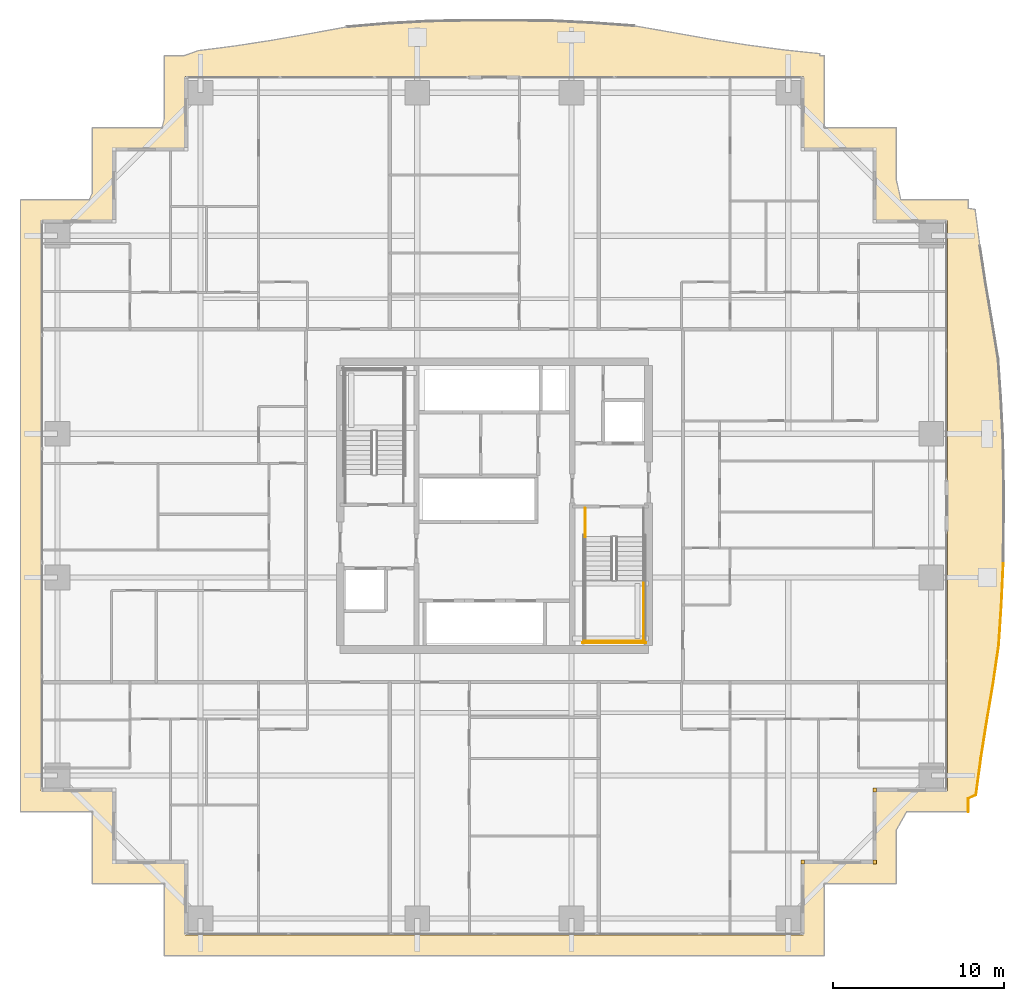
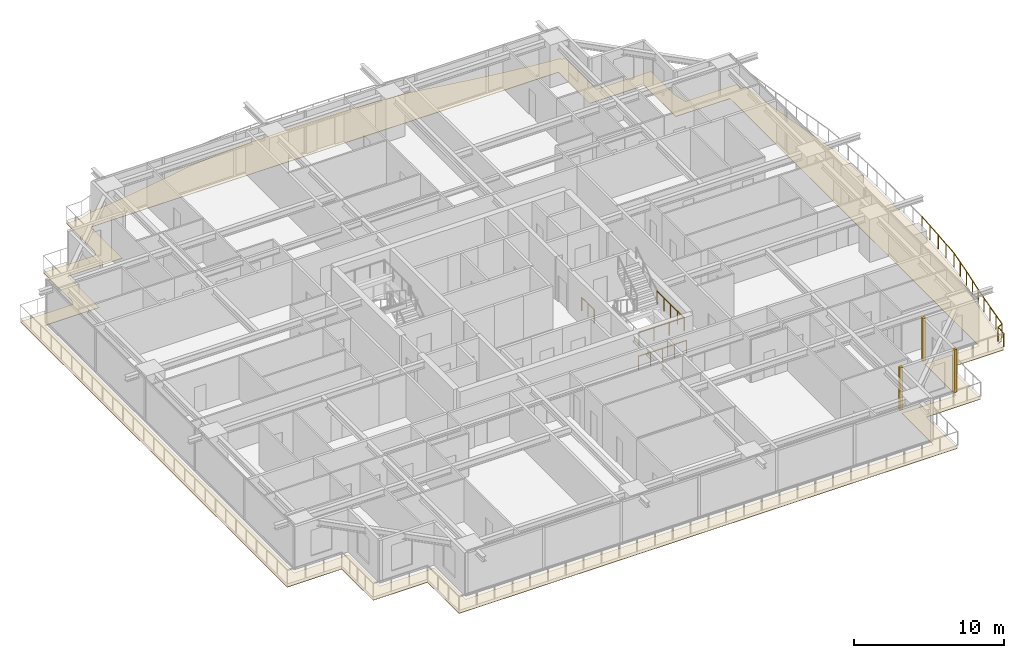
# One storey, part 35 of 37: 5 railings, 4 coverings.
"""IFC4 building model written with IfcOpenShell, lengths in metres."""

from ifc_helpers import new_model, si_unit, direction, frame, origin, origin_2d, place, context, subcontext, project, spatial, polyline, rectangle, circle, outline, extrude, source, transform, mapped, material, layer, layer_set, type_object, element, save


model = new_model("IFC4")

# Units and contexts
model_context = context("Model", 3, precision=1e-05, world=origin(), true_north=direction((0.0, 1.0)))
body_context = subcontext(model_context, "Body", "Model", "MODEL_VIEW")
ifc_project = project(units=[si_unit("LENGTHUNIT", "METRE"), si_unit("AREAUNIT", "SQUARE_METRE"), si_unit("VOLUMEUNIT", "CUBIC_METRE"), si_unit("PLANEANGLEUNIT", "RADIAN"), si_unit("MASSUNIT", "GRAM", prefix="KILO")], contexts=[model_context])

# Site, building, storey
site_placement = place(None, origin())
site = spatial("IfcSite", under=ifc_project, at=site_placement, CompositionType="ELEMENT")
building_placement = place(site_placement, origin())
building = spatial("IfcBuilding", under=site, at=building_placement, Name="Serunith Strait Residences", CompositionType="ELEMENT")
storey_placement = place(building_placement, frame((0.0, 0.0, 34.199951171875)))
storey = spatial("IfcBuildingStorey", under=building, at=storey_placement, Name="L07", CompositionType="ELEMENT", Elevation=34.199951171875)

# Covering
ifc_material_1 = material(Name="Golden Teak Exterior Timber Boarding", Category="wood")
ifc_layer_1 = layer(ifc_material_1, 0.034912109375, Name="Golden Teak Exterior Timber Boarding")
ifc_layer_set_1 = layer_set([ifc_layer_1], Name="Golden Teak Exterior Timber Boarding")
covering_type_1 = type_object("IfcCoveringType", Name="COV-TEAK-SOFFIT", PredefinedType="CEILING", material=ifc_layer_set_1)
covering_placement = place(storey_placement, frame((0.0, 0.0, -0.324951171875)))
element("IfcCovering", 1, at=covering_placement, inside=storey, type_object=covering_type_1, Name="L07 Golden-Teak Balcony Soffit Lining", PredefinedType="CEILING", context=body_context, shape_type="SweptSolid", body=[
    extrude(outline(polyline([(13.00341796875, 47.260009765625), (13.139892578125, 47.77490234375), (13.139892578125, 51.4599609375), (14.294921875, 51.4599609375), (15.12109375, 51.755859375), (17.243408203125, 52.02587890625), (19.3837890625, 52.35498046875), (21.560302734375, 52.73486328125), (23.7939453125, 53.141357421875), (26.14306640625, 53.342041015625), (28.535888671875, 53.47412109375), (30.954345703125, 53.52001953125), (33.383056640625, 53.52001953125), (35.8046875, 53.492919921875), (38.203125, 53.37109375), (40.5673828125, 53.2021484375), (42.818603515625, 52.8115234375), (45.004638671875, 52.424072265625), (47.150390625, 52.084228515625), (49.275146484375, 51.802734375), (51.392578125, 51.578857421875), (51.391845703125, 51.4599609375), (51.659912109375, 51.4599609375), (51.659912109375, 47.260009765625), (55.860107421875, 47.260009765625), (55.860107421875, 44.209716796875), (56.122802734375, 43.06005859375), (60.06005859375, 43.06005859375), (60.06005859375, 42.552001953125), (60.45751953125, 42.488037109375), (60.734375, 40.360107421875), (61.06298828125, 38.210693359375), (61.432861328125, 36.023193359375), (61.802001953125, 33.775634765625), (61.963134765625, 31.42431640625), (62.082763671875, 29.04150390625), (62.1201171875, 26.63671875), (62.1201171875, 24.22314453125), (62.099609375, 21.815673828125), (61.989501953125, 19.427734375), (61.83544921875, 17.070068359375), (61.506103515625, 14.7998046875), (61.131103515625, 12.60302734375), (60.793212890625, 10.44775390625), (60.506103515625, 8.31689453125), (60.06005859375, 8.11279296875), (60.06005859375, 7.340087890625), (56.46923828125, 7.340087890625), (55.860107421875, 6.272705078125), (55.860107421875, 3.139892578125), (51.659912109375, 3.139892578125), (51.659912109375, -1.06005859375), (13.139892578125, -1.06005859375), (13.139892578125, 3.139892578125), (8.93994140625, 3.139892578125), (8.93994140625, 7.340087890625), (4.739990234375, 7.340087890625), (4.739990234375, 43.06005859375), (8.7587890625, 43.06005859375), (8.93994140625, 43.457763671875), (8.93994140625, 47.260009765625), (13.00341796875, 47.260009765625)]), holes=[polyline([(50.455078125, 0.14501953125), (50.455078125, 4.344970703125), (54.655029296875, 4.344970703125), (54.655029296875, 8.544921875), (58.85498046875, 8.544921875), (58.85498046875, 41.85498046875), (54.655029296875, 41.85498046875), (54.655029296875, 46.054931640625), (50.455078125, 46.054931640625), (50.455078125, 50.2548828125), (14.344970703125, 50.2548828125), (14.344970703125, 46.054931640625), (10.14501953125, 46.054931640625), (10.14501953125, 41.85498046875), (5.945068359375, 41.85498046875), (5.945068359375, 8.544921875), (10.14501953125, 8.544921875), (10.14501953125, 4.344970703125), (14.344970703125, 4.344970703125), (14.344970703125, 0.14501953125), (50.455078125, 0.14501953125)])]), origin(), (0.0, 0.0, 1.0), 0.034912109375),
])

# Railings
ifc_material_2 = material(Name="Stainless Steel & Laminated Glass Balustrade", Category="steel")
railing_type_1 = type_object("IfcRailingType", Name="RLG-BALC-1150", PredefinedType="BALUSTRADE", material=ifc_material_2)
railing_1_placement = place(storey_placement, frame((62.099609375, 21.815673828125, -0.050048828125)))
element("IfcRailing", 2, at=railing_1_placement, inside=storey, type_object=railing_type_1, Name="L07 Swirling Balcony Perimeter Balustrade 6", PredefinedType="BALUSTRADE", context=body_context, shape_type="SweptSolid", body=[
    extrude(circle(Radius=0.02392578125, at=origin_2d()), frame((0.0, -0.001953125, 1.1259765625), z_axis=(-0.046060865395, -0.998938635092, 0.0), x_axis=(0.998938635092, -0.046060865395, 0.0)), (0.0, 0.0, 1.0), 2.386474609375),
    extrude(circle(Radius=0.02392578125, at=origin_2d()), frame((-0.1103515625, -2.389892578125, 1.1259765625), z_axis=(-0.065202162092, -0.997872074997, 0.0), x_axis=(0.997872074997, -0.065202162092, 0.0)), (0.0, 0.0, 1.0), 2.358642578125),
    extrude(circle(Radius=0.02392578125, at=origin_2d()), frame((-0.264404296875, -4.74755859375, 1.1259765625), z_axis=(-0.14356654037, -0.989640666346, 0.0), x_axis=(0.989640666346, -0.14356654037, 0.0)), (0.0, 0.0, 1.0), 2.2900390625),
    extrude(circle(Radius=0.02392578125, at=origin_2d()), frame((-0.59375, -7.017822265625, 1.1259765625), z_axis=(-0.168270499855, -0.985740857872, 0.0), x_axis=(0.985740857872, -0.168270499855, 0.0)), (0.0, 0.0, 1.0), 2.224609375),
    extrude(circle(Radius=0.02392578125, at=origin_2d()), frame((-0.96875, -9.214599609375, 1.1259765625), z_axis=(-0.154882104311, -0.987932960157, 0.0), x_axis=(0.987932960157, -0.154882104311, 0.0)), (0.0, 0.0, 1.0), 2.177490234375),
    extrude(circle(Radius=0.02392578125, at=origin_2d()), frame((-1.306640625, -11.369873046875, 1.1259765625), z_axis=(-0.133532116849, -0.991044486272, 0.0), x_axis=(0.991044486272, -0.133532116849, 0.0)), (0.0, 0.0, 1.0), 2.14599609375),
    extrude(circle(Radius=0.02392578125, at=origin_2d()), frame((-1.59521484375, -13.49951171875, 1.1259765625), z_axis=(-0.909323858246, -0.416089077993, 0.0), x_axis=(0.416089077993, -0.909323858246, 0.0)), (0.0, 0.0, 1.0), 0.486572265625),
    extrude(circle(Radius=0.02392578125, at=origin_2d()), frame((-2.03955078125, -13.704833984375, 1.1259765625), z_axis=(0.0, -1.0, 0.0), x_axis=(1.0, 0.0, 0.0)), (0.0, 0.0, 1.0), 0.768798828125),
    extrude(circle(Radius=0.02099609375, at=origin_2d()), origin(), (0.0, 0.0, 1.0), 1.099853515625),
    extrude(circle(Radius=0.02099609375, at=origin_2d()), frame((-0.05517578125, -1.19384765625, 0.0)), (0.0, 0.0, 1.0), 1.099853515625),
    extrude(circle(Radius=0.02099609375, at=origin_2d()), frame((-0.110107421875, -2.387939453125, 0.0)), (0.0, 0.0, 1.0), 1.099853515625),
    extrude(circle(Radius=0.02099609375, at=origin_2d()), frame((-0.18701171875, -3.56689453125, 0.0)), (0.0, 0.0, 1.0), 1.099853515625),
    extrude(circle(Radius=0.02099609375, at=origin_2d()), frame((-0.26416015625, -4.74560546875, 0.0)), (0.0, 0.0, 1.0), 1.099853515625),
    extrude(circle(Radius=0.02099609375, at=origin_2d()), frame((-0.4287109375, -5.880859375, 0.0)), (0.0, 0.0, 1.0), 1.099853515625),
    extrude(circle(Radius=0.02099609375, at=origin_2d()), frame((-0.593505859375, -7.015869140625, 0.0)), (0.0, 0.0, 1.0), 1.099853515625),
    extrude(circle(Radius=0.02099609375, at=origin_2d()), frame((-0.781005859375, -8.1142578125, 0.0)), (0.0, 0.0, 1.0), 1.099853515625),
    extrude(circle(Radius=0.02099609375, at=origin_2d()), frame((-0.968505859375, -9.212646484375, 0.0)), (0.0, 0.0, 1.0), 1.099853515625),
    extrude(circle(Radius=0.02099609375, at=origin_2d()), frame((-1.137451171875, -10.290283203125, 0.0)), (0.0, 0.0, 1.0), 1.099853515625),
    extrude(circle(Radius=0.02099609375, at=origin_2d()), frame((-1.306396484375, -11.367919921875, 0.0)), (0.0, 0.0, 1.0), 1.099853515625),
    extrude(circle(Radius=0.02099609375, at=origin_2d()), frame((-1.449951171875, -12.433349609375, 0.0)), (0.0, 0.0, 1.0), 1.099853515625),
    extrude(circle(Radius=0.02099609375, at=origin_2d()), frame((-1.593505859375, -13.498779296875, 0.0)), (0.0, 0.0, 1.0), 1.099853515625),
    extrude(circle(Radius=0.02099609375, at=origin_2d()), frame((-2.03955078125, -13.702880859375, 0.0)), (0.0, 0.0, 1.0), 1.099853515625),
    extrude(circle(Radius=0.02099609375, at=origin_2d()), frame((-2.03955078125, -14.4755859375, 0.0)), (0.0, 0.0, 1.0), 1.099853515625),
])
ifc_material_3 = material(Name="Brushed stainless steel 316L", Category="steel")
railing_type_2 = type_object("IfcRailingType", Name="RLG-STAIR-GUARD", PredefinedType="BALUSTRADE", material=ifc_material_3)
railing_2_placement = place(storey_placement, frame((41.10009765625, 20.85009765625, 1.875)))
element("IfcRailing", 3, at=railing_2_placement, inside=storey, type_object=railing_type_2, Name="L07 ST-2 stair guard 4", PredefinedType="BALUSTRADE", context=body_context, shape_type="SweptSolid", body=[
    extrude(circle(Radius=0.02392578125, at=origin_2d()), frame((0.0, -0.001953125, 1.076171875), z_axis=(0.0, -1.0, 0.0), x_axis=(1.0, 0.0, 0.0)), (0.0, 0.0, 1.0), 3.59619140625),
    extrude(circle(Radius=0.02099609375, at=origin_2d()), origin(), (0.0, 0.0, 1.0), 1.050048828125),
    extrude(circle(Radius=0.02099609375, at=origin_2d()), frame((0.0, -0.89990234375, 0.0)), (0.0, 0.0, 1.0), 1.050048828125),
    extrude(circle(Radius=0.02099609375, at=origin_2d()), frame((0.0, -1.800048828125, 0.0)), (0.0, 0.0, 1.0), 1.050048828125),
    extrude(circle(Radius=0.02099609375, at=origin_2d()), frame((0.0, -2.7001953125, 0.0)), (0.0, 0.0, 1.0), 1.050048828125),
    extrude(circle(Radius=0.02099609375, at=origin_2d()), frame((0.0, -3.60009765625, 0.0)), (0.0, 0.0, 1.0), 1.050048828125),
])
railing_3_placement = place(storey_placement, frame((37.64990234375, 17.300048828125, 1.875)))
element("IfcRailing", 4, at=railing_3_placement, inside=storey, type_object=railing_type_2, Name="L07 ST-2 stair guard 5", PredefinedType="BALUSTRADE", context=body_context, shape_type="SweptSolid", body=[
    extrude(circle(Radius=0.02392578125, at=origin_2d()), frame((0.001953125, 0.0, 1.076171875), z_axis=(1.0, 0.0, 0.0), x_axis=(0.0, 1.0, 0.0)), (0.0, 0.0, 1.0), 3.49609375),
    extrude(circle(Radius=0.02099609375, at=origin_2d()), origin(), (0.0, 0.0, 1.0), 1.050048828125),
    extrude(circle(Radius=0.02099609375, at=origin_2d()), frame((1.166748046875, 0.0, 0.0)), (0.0, 0.0, 1.0), 1.050048828125),
    extrude(circle(Radius=0.02099609375, at=origin_2d()), frame((2.333251953125, 0.0, 0.0)), (0.0, 0.0, 1.0), 1.050048828125),
    extrude(circle(Radius=0.02099609375, at=origin_2d()), frame((3.5, 0.0, 0.0)), (0.0, 0.0, 1.0), 1.050048828125),
])
railing_4_placement = place(storey_placement, frame((37.699951171875, 25.050048828125, 0.0)))
element("IfcRailing", 5, at=railing_4_placement, inside=storey, type_object=railing_type_2, Name="L07 ST-2 stair guard 8", PredefinedType="BALUSTRADE", context=body_context, shape_type="SweptSolid", body=[
    extrude(circle(Radius=0.02392578125, at=origin_2d()), frame((0.0, -0.001953125, 1.076171875), z_axis=(0.0, -1.0, 0.0), x_axis=(1.0, 0.0, 0.0)), (0.0, 0.0, 1.0), 1.676025390625),
    extrude(circle(Radius=0.02099609375, at=origin_2d()), origin(), (0.0, 0.0, 1.0), 1.050048828125),
    extrude(circle(Radius=0.02099609375, at=origin_2d()), frame((0.0, -0.83984375, 0.0)), (0.0, 0.0, 1.0), 1.050048828125),
    extrude(circle(Radius=0.02099609375, at=origin_2d()), frame((0.0, -1.679931640625, 0.0)), (0.0, 0.0, 1.0), 1.050048828125),
])
railing_5_placement = place(storey_placement, frame((37.550048828125, 17.199951171875, 0.0)))
element("IfcRailing", 6, at=railing_5_placement, inside=storey, type_object=railing_type_2, Name="L07 ST-2 stair guard 12", PredefinedType="BALUSTRADE", context=body_context, shape_type="SweptSolid", body=[
    extrude(circle(Radius=0.02392578125, at=origin_2d()), frame((0.001953125, 0.0, 1.076171875), z_axis=(1.0, 0.0, 0.0), x_axis=(0.0, 1.0, 0.0)), (0.0, 0.0, 1.0), 3.696044921875),
    extrude(circle(Radius=0.02099609375, at=origin_2d()), origin(), (0.0, 0.0, 1.0), 1.050048828125),
    extrude(circle(Radius=0.02099609375, at=origin_2d()), frame((0.925048828125, 0.0, 0.0)), (0.0, 0.0, 1.0), 1.050048828125),
    extrude(circle(Radius=0.02099609375, at=origin_2d()), frame((1.85009765625, 0.0, 0.0)), (0.0, 0.0, 1.0), 1.050048828125),
    extrude(circle(Radius=0.02099609375, at=origin_2d()), frame((2.77490234375, 0.0, 0.0)), (0.0, 0.0, 1.0), 1.050048828125),
    extrude(circle(Radius=0.02099609375, at=origin_2d()), frame((3.699951171875, 0.0, 0.0)), (0.0, 0.0, 1.0), 1.050048828125),
])

# Coverings
ifc_material_4 = material(Name="Pale-Champagne Anodised Aluminium", Category="aluminium")
ifc_layer_2 = layer(ifc_material_4, 0.219970703125, Name="Pale-Champagne Anodised Aluminium")
ifc_layer_set_2 = layer_set([ifc_layer_2], Name="Pale-Champagne Anodised Aluminium")
covering_type_2 = type_object("IfcCoveringType", Name="COV-CORN-TRIM", PredefinedType="CLADDING", material=ifc_layer_set_2)
shared_shape = source(origin(), body_context, "Body", "SweptSolid", [
    extrude(rectangle(XDim=0.221923828125, YDim=0.221923828125, at=origin_2d()), origin(), (0.0, 0.0, 1.0), 3.47509765625),
])
for number, where, z_axis, x_axis, name in (
    (7, (50.39990234375, 4.39990234375, 0.0), (0.0, 0.0, 1.0), (1.0, 0.0, 0.0), "L07 Girih Serrated Corner Trim Post 02"),
    (8, (54.60009765625, 4.39990234375, 0.0), (0.0, 0.0, 1.0), (1.0, 0.0, 0.0), "L07 Girih Serrated Corner Trim Post 03"),
    (9, (54.60009765625, 8.60009765625, 0.0), (0.0, 0.0, 1.0), (1.0, 0.0, 0.0), "L07 Girih Serrated Corner Trim Post 04"),
):
    element("IfcCovering", number, at=place(storey_placement, frame(where, z_axis=z_axis, x_axis=x_axis)), inside=storey, type_object=covering_type_2, Name=name, PredefinedType="CLADDING", context=body_context, shape_type="MappedRepresentation", body=[
        mapped(shared_shape, transform((0.0, 0.0, 0.0), scale=1.0)),
    ])

save(model, "model.ifc")
